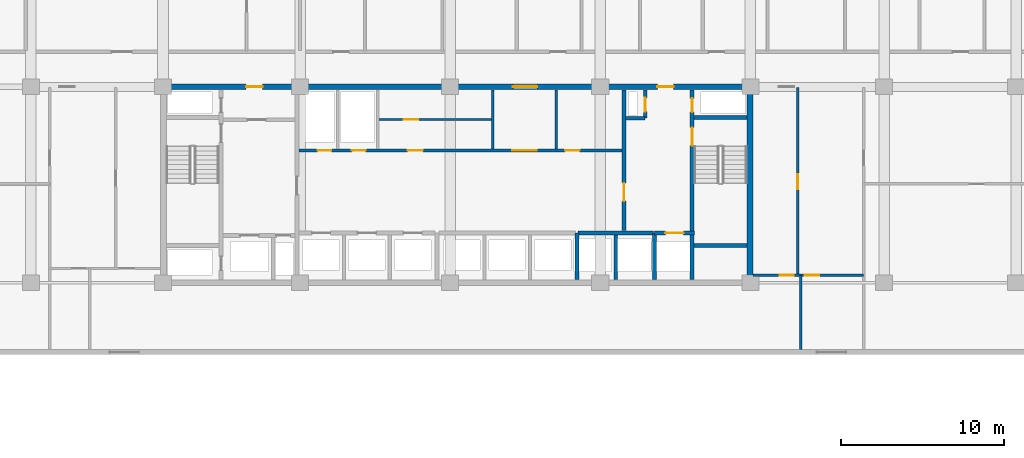
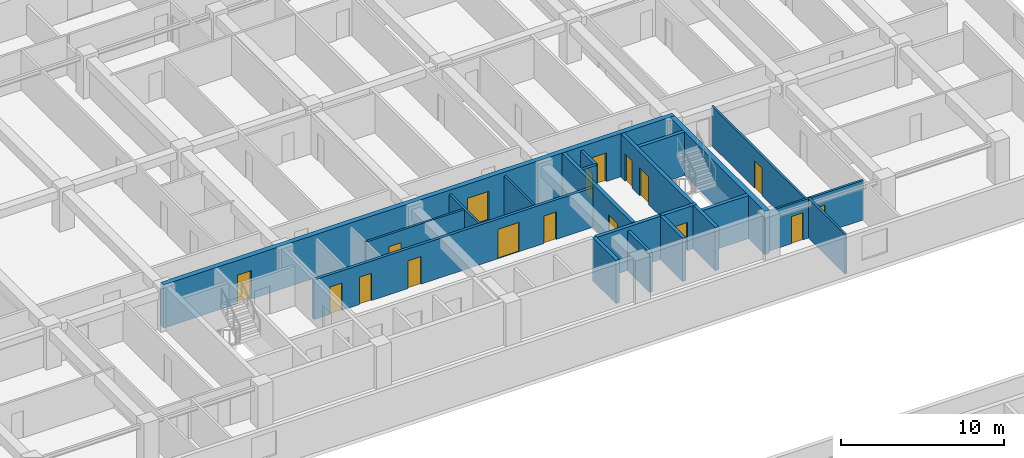
# One storey, part 12 of 23: 20 walls, 17 doors, 17 openings.
"""IFC4 building model written with IfcOpenShell, lengths in metres."""

import ifcopenshell
import ifcopenshell.guid

model = None  # the IFC model being written
_history = None  # IfcOwnerHistory: only IFC2X3 demands one
_inside = {}  # id of a spatial element -> (the spatial element, [elements in it])
_under = {}  # id of a project, library or spatial element -> (it, [spatial elements below it])
_declared = {}  # id of a project -> (the project, [libraries it declares])
_typed = {}  # id of a type object -> (the type object, [elements of that type])
_made_of = {}  # id of a material, layer set ... -> (it, [elements and type objects made of it])


def new_model(schema):
    """Start an empty IFC model of exactly this schema.

    Asked for "IFC4X3", IfcOpenShell would pick the latest addendum, in which some entities
    have other attributes; the version numbers below select the first issue.
    IFC2X3 requires an IfcOwnerHistory on every rooted entity: one is made here for all.
    """
    global model, _history
    if schema == "IFC4X3":
        model = ifcopenshell.file(schema_version=(4, 3, 0, 0))
    else:
        model = ifcopenshell.file(schema=schema)
    _inside.clear()
    _under.clear()
    _declared.clear()
    _typed.clear()
    _made_of.clear()
    _history = None
    if model.schema == "IFC2X3":
        org = make("IfcOrganization", Name="unknown")
        user = make(
            "IfcPersonAndOrganization",
            ThePerson=make("IfcPerson", FamilyName="unknown"),
            TheOrganization=org,
        )
        app = make(
            "IfcApplication",
            ApplicationDeveloper=org,
            Version="unknown",
            ApplicationFullName="unknown",
            ApplicationIdentifier="unknown",
        )
        _history = make(
            "IfcOwnerHistory",
            OwningUser=user,
            OwningApplication=app,
            ChangeAction="ADDED",
            CreationDate=0,
        )
    return model


def make(cls, **values):
    """One entity of the class cls with the attributes given. An attribute that is None is left unset."""
    return model.create_entity(
        cls, **{name: value for name, value in values.items() if value is not None}
    )


def rooted(cls, **values):
    """An entity with a GlobalId (a new one), such as an element, a storey or a relation."""
    return make(cls, GlobalId=ifcopenshell.guid.new(), OwnerHistory=_history, **values)


def si_unit(unit_type, name, prefix=None):
    """IfcSIUnit, for example si_unit("LENGTHUNIT", "METRE", prefix="MILLI")."""
    return make("IfcSIUnit", UnitType=unit_type, Prefix=prefix, Name=name)


def assignment(units):
    """IfcUnitAssignment: the units of a project."""
    return None if units is None else make("IfcUnitAssignment", Units=units)


def point(xyz):
    """IfcCartesianPoint."""
    return None if xyz is None else make("IfcCartesianPoint", Coordinates=xyz)


def direction(xyz):
    """IfcDirection."""
    return None if xyz is None else make("IfcDirection", DirectionRatios=xyz)


def frame(location, z_axis=None, x_axis=None):
    """IfcAxis2Placement3D, a coordinate frame: its origin and axes. An axis left out is left unset."""
    return make(
        "IfcAxis2Placement3D",
        Location=point(location),
        Axis=direction(z_axis),
        RefDirection=direction(x_axis),
    )


def frame_2d(location, x_axis=None):
    """IfcAxis2Placement2D, a coordinate frame in the plane: its origin and x axis."""
    return make(
        "IfcAxis2Placement2D", Location=point(location), RefDirection=direction(x_axis)
    )


def origin():
    """The frame at (0, 0, 0) with its axes left unset."""
    return frame((0.0, 0.0, 0.0))


def place(relative_to, where):
    """IfcLocalPlacement: puts the frame where relative to a parent placement (None: the world)."""
    return make(
        "IfcLocalPlacement", PlacementRelTo=relative_to, RelativePlacement=where
    )


def context(
    kind, dimensions, precision=None, world=None, true_north=None, identifier=None
):
    """IfcGeometricRepresentationContext, for example the 3D "Model" context."""
    return make(
        "IfcGeometricRepresentationContext",
        ContextIdentifier=identifier,
        ContextType=kind,
        CoordinateSpaceDimension=dimensions,
        Precision=precision,
        WorldCoordinateSystem=world,
        TrueNorth=true_north,
    )


def subcontext(parent, identifier, kind, view, scale=None):
    """IfcGeometricRepresentationSubContext, for example "Body" below "Model"."""
    return make(
        "IfcGeometricRepresentationSubContext",
        ContextIdentifier=identifier,
        ContextType=kind,
        ParentContext=parent,
        TargetScale=scale,
        TargetView=view,
    )


def project(units=None, contexts=None):
    """IfcProject with its units and contexts."""
    return rooted(
        "IfcProject",
        Name="project",
        RepresentationContexts=contexts,
        UnitsInContext=assignment(units),
    )


def spatial(cls, under=None, at=None, **own):
    """A site, building, storey or space (cls), placed at a placement, below another one or the project."""
    s = rooted(cls, ObjectPlacement=at, **own)
    if under is not None:
        _under.setdefault(under.id(), (under, []))[1].append(s)
    return s


def profile(cls, at=None, kind="AREA", **sizes):
    """A parametric profile (cls). Its sizes go by their IFC names, for example OverallWidth=200.0."""
    return make(cls, ProfileType=kind, Position=at, **sizes)


def rectangle(**sizes):
    """IfcRectangleProfileDef."""
    return profile("IfcRectangleProfileDef", **sizes)


def extrude(swept, where, along, depth):
    """IfcExtrudedAreaSolid: the profile swept, set in the frame where, extruded along a direction by depth."""
    return make(
        "IfcExtrudedAreaSolid",
        SweptArea=swept,
        Position=where,
        ExtrudedDirection=direction(along),
        Depth=depth,
    )


def shape(context_of_items, identifier, shape_type, items):
    """IfcShapeRepresentation: the items that make up one representation, for example the "Body"."""
    return make(
        "IfcShapeRepresentation",
        ContextOfItems=context_of_items,
        RepresentationIdentifier=identifier,
        RepresentationType=shape_type,
        Items=items,
    )


def material(Name=None, Category=None):
    """IfcMaterial."""
    return make("IfcMaterial", Name=Name, Category=Category)


def layer(
    of_material, thickness, ventilated=None, Name=None, Category=None, Priority=None
):
    """IfcMaterialLayer: one layer of a wall or slab, of a material (None: an air gap)."""
    return make(
        "IfcMaterialLayer",
        Material=of_material,
        LayerThickness=thickness,
        IsVentilated=ventilated,
        Name=Name,
        Category=Category,
        Priority=Priority,
    )


def layer_set(layers, Name=None):
    """IfcMaterialLayerSet."""
    return make("IfcMaterialLayerSet", MaterialLayers=layers, LayerSetName=Name)


def made_of(thing, what):
    """Note that an element or type object is made of a material, layer set ...; save() writes the relation."""
    if what is not None:
        _made_of.setdefault(what.id(), (what, []))[1].append(thing)
    return thing


def type_object(cls, material=None, **own):
    """A type object (cls), such as IfcWallType, which elements share."""
    return made_of(rooted(cls, **own), material)


def element(
    cls,
    number,
    at=None,
    inside=None,
    cuts=None,
    type_object=None,
    material=None,
    context=None,
    identifier="Body",
    shape_type=None,
    held_by="IfcProductDefinitionShape",
    body=None,
    shapes=None,
    **own,
):
    """One element of the class cls, such as IfcWall. Its Tag is "e" and its number.

    at: its placement. inside: the storey or other place that contains it. cuts: it is an
    opening in that element (IfcRelVoidsElement). A single representation is given by context,
    identifier, shape_type and body (its items); several are given by shapes. held_by: the class
    of the entity that holds the representations. save() writes the other relations.
    """
    e = rooted(cls, Tag="e%d" % number, ObjectPlacement=at, **own)
    if body is not None:
        shapes = [shape(context, identifier, shape_type, body)]
    if shapes is not None:
        e.Representation = make(held_by, Representations=shapes)
    if inside is not None:
        _inside.setdefault(inside.id(), (inside, []))[1].append(e)
    if cuts is not None:
        rooted(
            "IfcRelVoidsElement", RelatingBuildingElement=cuts, RelatedOpeningElement=e
        )
    if type_object is not None:
        _typed.setdefault(type_object.id(), (type_object, []))[1].append(e)
    return made_of(e, material)


def fill(opening, filler):
    """IfcRelFillsElement: the door or window that sits in an opening."""
    return rooted(
        "IfcRelFillsElement",
        RelatingOpeningElement=opening,
        RelatedBuildingElement=filler,
    )


def aggregate(whole, parts):
    """IfcRelAggregates: a whole, such as a stair, and the parts it consists of."""
    return rooted("IfcRelAggregates", RelatingObject=whole, RelatedObjects=parts)


def save(model, path):
    """Write the relations noted so far, then the file.

    IfcRelAggregates (storeys below a building ...), IfcRelContainedInSpatialStructure (elements
    in a storey), IfcRelDefinesByType, IfcRelAssociatesMaterial and IfcRelDeclares: one each for
    every whole, place, type object, material and project.
    """
    for whole, parts in _under.values():
        aggregate(whole, parts)
    for where, things in _inside.values():
        rooted(
            "IfcRelContainedInSpatialStructure",
            RelatedElements=things,
            RelatingStructure=where,
        )
    for kind, things in _typed.values():
        rooted("IfcRelDefinesByType", RelatedObjects=things, RelatingType=kind)
    for what, things in _made_of.values():
        rooted("IfcRelAssociatesMaterial", RelatedObjects=things, RelatingMaterial=what)
    for by, libraries in _declared.values():
        rooted("IfcRelDeclares", RelatingContext=by, RelatedDefinitions=libraries)
    model.write(path)


model = new_model("IFC4")

# Units and contexts
model_context = context("Model", 3, precision=1e-05, world=origin(), true_north=direction((0.0, 1.0)))
body_context = subcontext(model_context, "Body", "Model", "MODEL_VIEW")
ifc_project = project(units=[si_unit("LENGTHUNIT", "METRE"), si_unit("AREAUNIT", "SQUARE_METRE"), si_unit("VOLUMEUNIT", "CUBIC_METRE"), si_unit("PLANEANGLEUNIT", "RADIAN"), si_unit("MASSUNIT", "GRAM", prefix="KILO")], contexts=[model_context])

# Site, building, storey
site_placement = place(None, origin())
site = spatial("IfcSite", under=ifc_project, at=site_placement, CompositionType="ELEMENT")
building_placement = place(site_placement, origin())
building = spatial("IfcBuilding", under=site, at=building_placement, Name="Korimba Cascade Residences", CompositionType="ELEMENT")
storey_placement = place(building_placement, frame((0.0, 0.0, 33.75)))
storey = spatial("IfcBuildingStorey", under=building, at=storey_placement, Name="L08", CompositionType="ELEMENT", Elevation=33.75)

# Wall
ifc_material_1 = material(Name="Concrete C65/80", Category="concrete")
ifc_layer_1 = layer(ifc_material_1, 0.35009765625)
ifc_layer_set_1 = layer_set([ifc_layer_1], Name="Concrete C65/80")
wall_type_1 = type_object("IfcWallType", Name="WAL-CORE-350", PredefinedType="SHEAR", material=ifc_layer_set_1)
wall_1_placement = place(storey_placement, frame((112.074951171875, 55.375, 0.0), z_axis=(0.0, 0.0, 1.0), x_axis=(0.0, 1.0, 0.0)))
element("IfcWall", 1, at=wall_1_placement, inside=storey, type_object=wall_type_1, Name="L08 Core Shear Wall CW-L08-T1-E", PredefinedType="SHEAR", context=body_context, shape_type="SweptSolid", body=[
    extrude(rectangle(XDim=11.64990234375, YDim=0.35009765625, at=frame_2d((5.824951171875, 0.0))), origin(), (0.0, 0.0, 1.0), 3.25),
])

# Wall, openings, doors
wall_2_placement = place(storey_placement, frame((75.949951171875, 67.199951171875, 0.0), z_axis=(0.0, 0.0, 1.0), x_axis=(1.0, 0.0, 0.0)))
wall_2 = element("IfcWall", 2, at=wall_2_placement, inside=storey, type_object=wall_type_1, Name="L08 Core Shear Wall CW-L08-T1-N", PredefinedType="SHEAR", context=body_context, shape_type="SweptSolid", body=[
    extrude(rectangle(XDim=36.300048828125, YDim=0.35009765625, at=frame_2d((18.14990234375, 0.0))), origin(), (0.0, 0.0, 1.0), 3.25),
])
opening_1_placement = place(wall_2_placement, frame((5.25, 0.0, 0.0)))
opening_1 = element("IfcOpeningElement", 3, at=opening_1_placement, cuts=wall_2, Name="Opening D-FD5", PredefinedType="OPENING", context=body_context, shape_type="SweptSolid", body=[
    extrude(rectangle(XDim=1.0, YDim=2.14990234375, at=frame_2d((0.5, 1.074951171875))), frame((0.0, 0.18505859375, 0.0), z_axis=(0.0, -1.0, 0.0), x_axis=(1.0, 0.0, 0.0)), (0.0, 0.0, 1.0), 0.3701171875),
])
opening_2_placement = place(wall_2_placement, frame((21.60009765625, 0.0, 0.0)))
opening_2 = element("IfcOpeningElement", 4, at=opening_2_placement, cuts=wall_2, Name="Opening D-FD8", PredefinedType="OPENING", context=body_context, shape_type="SweptSolid", body=[
    extrude(rectangle(XDim=1.5, YDim=2.199951171875, at=frame_2d((0.75, 1.10009765625))), frame((0.0, 0.18505859375, 0.0), z_axis=(0.0, -1.0, 0.0), x_axis=(1.0, 0.0, 0.0)), (0.0, 0.0, 1.0), 0.3701171875),
])
opening_3_placement = place(wall_2_placement, frame((30.449951171875, 0.0, 0.0)))
opening_3 = element("IfcOpeningElement", 5, at=opening_3_placement, cuts=wall_2, Name="Opening D-FD5", PredefinedType="OPENING", context=body_context, shape_type="SweptSolid", body=[
    extrude(rectangle(XDim=1.0, YDim=2.14990234375, at=frame_2d((0.5, 1.074951171875))), frame((0.0, 0.18505859375, 0.0), z_axis=(0.0, -1.0, 0.0), x_axis=(1.0, 0.0, 0.0)), (0.0, 0.0, 1.0), 0.3701171875),
])
ifc_material_2 = material(Name="Fire-Rated Acoustic Timber Vestibule Door", Category="wood")
door_type_1 = type_object("IfcDoorType", Name="DR-FD90-1000", OperationType="NOTDEFINED", PredefinedType="DOOR", material=ifc_material_2)
door_1_placement = place(opening_1_placement, origin())
door_1 = element("IfcDoor", 6, at=door_1_placement, inside=storey, type_object=door_type_1, Name="L08 T1 West Core Vestibule Fire Door", OperationType="SINGLE_SWING_RIGHT", OverallHeight=2.14990234375, OverallWidth=1.0, PredefinedType="DOOR", context=body_context, shape_type="SweptSolid", body=[
    extrude(rectangle(XDim=1.0, YDim=2.14990234375, at=frame_2d((0.5, 1.074951171875))), frame((0.0, 0.02490234375, 0.0), z_axis=(0.0, -1.0, 0.0), x_axis=(1.0, 0.0, 0.0)), (0.0, 0.0, 1.0), 0.050048828125),
])
fill(opening_1, door_1)
door_2_placement = place(opening_3_placement, origin())
door_2 = element("IfcDoor", 7, at=door_2_placement, inside=storey, type_object=door_type_1, Name="L08 T1 East Firefighting Vestibule Fire Door", OperationType="SINGLE_SWING_LEFT", OverallHeight=2.14990234375, OverallWidth=1.0, PredefinedType="DOOR", context=body_context, shape_type="SweptSolid", body=[
    extrude(rectangle(XDim=1.0, YDim=2.14990234375, at=frame_2d((0.5, 1.074951171875))), frame((0.0, 0.02490234375, 0.0), z_axis=(0.0, -1.0, 0.0), x_axis=(1.0, 0.0, 0.0)), (0.0, 0.0, 1.0), 0.050048828125),
])
fill(opening_3, door_2)
ifc_material_3 = material(Name="Fire-Rated Glazed Lift Lobby Double Door", Category="glass")
door_type_2 = type_object("IfcDoorType", Name="DR-FD90-1500", OperationType="NOTDEFINED", PredefinedType="DOOR", material=ifc_material_3)
door_3_placement = place(opening_2_placement, origin())
door_3 = element("IfcDoor", 8, at=door_3_placement, inside=storey, type_object=door_type_2, Name="L08 T1 Lift Lobby Fire Door", OperationType="DOUBLE_DOOR_SINGLE_SWING", OverallHeight=2.199951171875, OverallWidth=1.5, PredefinedType="DOOR", context=body_context, shape_type="SweptSolid", body=[
    extrude(rectangle(XDim=1.5, YDim=2.199951171875, at=frame_2d((0.75, 1.10009765625))), frame((0.0, 0.02490234375, 0.0), z_axis=(0.0, -1.0, 0.0), x_axis=(1.0, 0.0, 0.0)), (0.0, 0.0, 1.0), 0.050048828125),
])
fill(opening_2, door_3)

# Wall, opening, door
ifc_material_4 = material(Name="Insulated Acoustic Stud Partition", Category="gypsum")
ifc_layer_2 = layer(ifc_material_4, 0.14990234375)
ifc_layer_set_2 = layer_set([ifc_layer_2], Name="Insulated Acoustic Stud Partition")
wall_type_2 = type_object("IfcWallType", Name="WAL-PART-150", PredefinedType="PARTITIONING", material=ifc_layer_set_2)
wall_3_placement = place(storey_placement, frame((89.25, 65.199951171875, 0.0), z_axis=(0.0, 0.0, 1.0), x_axis=(1.0, 0.0, 0.0)))
wall_3 = element("IfcWall", 9, at=wall_3_placement, inside=storey, type_object=wall_type_2, Name="L08 Partition Wall CW-L08-T1-CA2HZ", PredefinedType="PARTITIONING", context=body_context, shape_type="SweptSolid", body=[
    extrude(rectangle(XDim=7.050048828125, YDim=0.14990234375, at=frame_2d((3.52490234375, 0.0))), origin(), (0.0, 0.0, 1.0), 2.969970703125),
])
opening_4_placement = place(wall_3_placement, frame((1.60009765625, 0.0, 0.0)))
opening_4 = element("IfcOpeningElement", 10, at=opening_4_placement, cuts=wall_3, Name="Opening D-IN2", PredefinedType="OPENING", context=body_context, shape_type="SweptSolid", body=[
    extrude(rectangle(XDim=0.8798828125, YDim=2.06005859375, at=frame_2d((0.43994140625, 1.030029296875))), frame((0.0, 0.0849609375, 0.0), z_axis=(0.0, -1.0, 0.0), x_axis=(1.0, 0.0, 0.0)), (0.0, 0.0, 1.0), 0.169921875),
])
ifc_material_5 = material(Name="Acoustic Timber Bedroom Door", Category="wood")
door_type_3 = type_object("IfcDoorType", Name="DR-INT-880", OperationType="NOTDEFINED", PredefinedType="DOOR", material=ifc_material_5)
door_4_placement = place(opening_4_placement, origin())
door_4 = element("IfcDoor", 11, at=door_4_placement, inside=storey, type_object=door_type_3, Name="L08 Pram Store Door", OperationType="SINGLE_SWING_RIGHT", OverallHeight=2.06005859375, OverallWidth=0.8798828125, PredefinedType="DOOR", context=body_context, shape_type="SweptSolid", body=[
    extrude(rectangle(XDim=0.8798828125, YDim=2.06005859375, at=frame_2d((0.43994140625, 1.030029296875))), frame((0.0, 0.02490234375, 0.0), z_axis=(0.0, -1.0, 0.0), x_axis=(1.0, 0.0, 0.0)), (0.0, 0.0, 1.0), 0.050048828125),
])
fill(opening_4, door_4)

# Walls
for number, where, z_axis, x_axis, name in (
    (12, (96.300048828125, 63.39990234375, 0.0), (0.0, 0.0, 1.0), (0.0, 1.0, 0.0), "L08 Partition Wall CW-L08-T1-THW"),
    (13, (100.199951171875, 63.39990234375, 0.0), (0.0, 0.0, 1.0), (0.0, 1.0, 0.0), "L08 Partition Wall CW-L08-T1-THE"),
):
    element("IfcWall", number, at=place(storey_placement, frame(where, z_axis=z_axis, x_axis=x_axis)), inside=storey, type_object=wall_type_2, Name=name, PredefinedType="PARTITIONING", context=body_context, shape_type="SweptSolid", body=[
        extrude(rectangle(XDim=3.60009765625, YDim=0.14990234375, at=frame_2d((1.800048828125, 0.0))), origin(), (0.0, 0.0, 1.0), 2.969970703125),
    ])

# Wall, opening, door
wall_4_placement = place(storey_placement, frame((115.0, 55.64990234375, 0.0), z_axis=(0.0, 0.0, 1.0), x_axis=(0.0, 1.0, 0.0)))
wall_4 = element("IfcWall", 14, at=wall_4_placement, inside=storey, type_object=wall_type_2, Name="L08 Partition Wall WAL-L08-T1-FE-VN", PredefinedType="PARTITIONING", context=body_context, shape_type="SweptSolid", body=[
    extrude(rectangle(XDim=11.5, YDim=0.14990234375, at=frame_2d((5.75, 0.0))), origin(), (0.0, 0.0, 1.0), 2.969970703125),
])
opening_5_placement = place(wall_4_placement, frame((5.2900390625, 0.0, 0.0)))
opening_5 = element("IfcOpeningElement", 15, at=opening_5_placement, cuts=wall_4, Name="Opening D-IN1", PredefinedType="OPENING", context=body_context, shape_type="SweptSolid", body=[
    extrude(rectangle(XDim=0.919921875, YDim=2.080078125, at=frame_2d((0.4599609375, 1.0400390625))), frame((0.0, 0.0849609375, 0.0), z_axis=(0.0, -1.0, 0.0), x_axis=(1.0, 0.0, 0.0)), (0.0, 0.0, 1.0), 0.169921875),
])
ifc_material_6 = material(Name="Acoustic Timber Living Door", Category="wood")
door_type_4 = type_object("IfcDoorType", Name="DR-INT-920", OperationType="NOTDEFINED", PredefinedType="DOOR", material=ifc_material_6)
door_5_placement = place(opening_5_placement, origin())
door_5 = element("IfcDoor", 16, at=door_5_placement, inside=storey, type_object=door_type_4, Name="L08-T1-FE Living Door", OperationType="SINGLE_SWING_LEFT", OverallHeight=2.080078125, OverallWidth=0.919921875, PredefinedType="DOOR", context=body_context, shape_type="SweptSolid", body=[
    extrude(rectangle(XDim=0.919921875, YDim=2.080078125, at=frame_2d((0.4599609375, 1.0400390625))), frame((0.0, 0.02490234375, 0.0), z_axis=(0.0, -1.0, 0.0), x_axis=(1.0, 0.0, 0.0)), (0.0, 0.0, 1.0), 0.050048828125),
])
fill(opening_5, door_5)

# Wall
wall_5_placement = place(storey_placement, frame((115.199951171875, 51.10009765625, 0.0), z_axis=(0.0, 0.0, 1.0), x_axis=(0.0, 1.0, 0.0)))
element("IfcWall", 17, at=wall_5_placement, inside=storey, type_object=wall_type_2, Name="L08 Partition Wall WAL-L08-T1-FE-VS", PredefinedType="PARTITIONING", context=body_context, shape_type="SweptSolid", body=[
    extrude(rectangle(XDim=4.5498046875, YDim=0.14990234375, at=frame_2d((2.27490234375, 0.0))), origin(), (0.0, 0.0, 1.0), 2.969970703125),
])

# Wall, openings, doors
wall_6_placement = place(storey_placement, frame((112.27001953125, 55.64990234375, 0.0), z_axis=(0.0, 0.0, 1.0), x_axis=(1.0, 0.0, 0.0)))
wall_6 = element("IfcWall", 18, at=wall_6_placement, inside=storey, type_object=wall_type_2, Name="L08 Partition Wall WAL-L08-T1-FE-H", PredefinedType="PARTITIONING", context=body_context, shape_type="SweptSolid", body=[
    extrude(rectangle(XDim=6.760009765625, YDim=0.14990234375, at=frame_2d((3.3798828125, 0.0))), origin(), (0.0, 0.0, 1.0), 2.969970703125),
])
opening_6_placement = place(wall_6_placement, frame((1.6396484375, 0.0, 0.0)))
opening_6 = element("IfcOpeningElement", 19, at=opening_6_placement, cuts=wall_6, Name="Opening D-BT1", PredefinedType="OPENING", context=body_context, shape_type="SweptSolid", body=[
    extrude(rectangle(XDim=0.840087890625, YDim=2.0400390625, at=frame_2d((0.419921875, 1.02001953125))), frame((0.0, 0.0849609375, 0.0), z_axis=(0.0, -1.0, 0.0), x_axis=(1.0, 0.0, 0.0)), (0.0, 0.0, 1.0), 0.169921875),
])
opening_7_placement = place(wall_6_placement, frame((3.160400390625, 0.0, 0.0)))
opening_7 = element("IfcOpeningElement", 20, at=opening_7_placement, cuts=wall_6, Name="Opening D-IN2", PredefinedType="OPENING", context=body_context, shape_type="SweptSolid", body=[
    extrude(rectangle(XDim=0.8798828125, YDim=2.06005859375, at=frame_2d((0.43994140625, 1.030029296875))), frame((0.0, 0.0849609375, 0.0), z_axis=(0.0, -1.0, 0.0), x_axis=(1.0, 0.0, 0.0)), (0.0, 0.0, 1.0), 0.169921875),
])
ifc_material_7 = material(Name="Moisture-Resistant Bathroom Timber Door", Category="wood")
door_type_5 = type_object("IfcDoorType", Name="DR-INT-850", OperationType="NOTDEFINED", PredefinedType="DOOR", material=ifc_material_7)
door_6_placement = place(opening_6_placement, origin())
door_6 = element("IfcDoor", 21, at=door_6_placement, inside=storey, type_object=door_type_5, Name="L08-T1-FE Bathroom Door", OperationType="SINGLE_SWING_RIGHT", OverallHeight=2.0400390625, OverallWidth=0.840087890625, PredefinedType="DOOR", context=body_context, shape_type="SweptSolid", body=[
    extrude(rectangle(XDim=0.840087890625, YDim=2.0400390625, at=frame_2d((0.419921875, 1.02001953125))), frame((0.0, 0.02490234375, 0.0), z_axis=(0.0, -1.0, 0.0), x_axis=(1.0, 0.0, 0.0)), (0.0, 0.0, 1.0), 0.050048828125),
])
fill(opening_6, door_6)
door_7_placement = place(opening_7_placement, origin())
door_7 = element("IfcDoor", 22, at=door_7_placement, inside=storey, type_object=door_type_3, Name="L08-T1-FE Bedroom Door", OperationType="SINGLE_SWING_LEFT", OverallHeight=2.06005859375, OverallWidth=0.8798828125, PredefinedType="DOOR", context=body_context, shape_type="SweptSolid", body=[
    extrude(rectangle(XDim=0.8798828125, YDim=2.06005859375, at=frame_2d((0.43994140625, 1.030029296875))), frame((0.0, 0.02490234375, 0.0), z_axis=(0.0, -1.0, 0.0), x_axis=(1.0, 0.0, 0.0)), (0.0, 0.0, 1.0), 0.050048828125),
])
fill(opening_7, door_7)

# Wall
ifc_material_8 = material(Name="Concrete C40/50", Category="concrete")
ifc_layer_3 = layer(ifc_material_8, 0.199951171875)
ifc_layer_set_3 = layer_set([ifc_layer_3], Name="Concrete C40/50")
wall_type_3 = type_object("IfcWallType", Name="WAL-PART-200", PredefinedType="PARTITIONING", material=ifc_layer_set_3)
wall_7_placement = place(storey_placement, frame((103.85009765625, 55.39990234375, 0.0), z_axis=(0.0, 0.0, 1.0), x_axis=(0.0, 1.0, 0.0)))
element("IfcWall", 23, at=wall_7_placement, inside=storey, type_object=wall_type_3, Name="L08 Partition Wall CW-L08-T1-B3D1", PredefinedType="PARTITIONING", context=body_context, shape_type="SweptSolid", body=[
    extrude(rectangle(XDim=2.72021484375, YDim=0.199951171875, at=frame_2d((1.360107421875, 0.0))), origin(), (0.0, 0.0, 1.0), 2.969970703125),
])

# Wall, openings, doors
wall_8_placement = place(storey_placement, frame((84.419921875, 63.300048828125, 0.0), z_axis=(0.0, 0.0, 1.0), x_axis=(1.0, 0.0, 0.0)))
wall_8 = element("IfcWall", 24, at=wall_8_placement, inside=storey, type_object=wall_type_3, Name="L08 Partition Wall CW-L08-T1-SRVROW", PredefinedType="PARTITIONING", context=body_context, shape_type="SweptSolid", body=[
    extrude(rectangle(XDim=19.830078125, YDim=0.199951171875, at=frame_2d((9.9150390625, 0.0))), origin(), (0.0, 0.0, 1.0), 2.969970703125),
])
opening_8_placement = place(wall_8_placement, frame((1.14990234375, 0.0, 0.0)))
opening_8 = element("IfcOpeningElement", 25, at=opening_8_placement, cuts=wall_8, Name="Opening D-RS1", PredefinedType="OPENING", context=body_context, shape_type="SweptSolid", body=[
    extrude(rectangle(XDim=0.85009765625, YDim=2.050048828125, at=frame_2d((0.425048828125, 1.02490234375))), frame((0.0, 0.10986328125, 0.0), z_axis=(0.0, -1.0, 0.0), x_axis=(1.0, 0.0, 0.0)), (0.0, 0.0, 1.0), 0.219970703125),
])
opening_9_placement = place(wall_8_placement, frame((3.25, 0.0, 0.0)))
opening_9 = element("IfcOpeningElement", 26, at=opening_9_placement, cuts=wall_8, Name="Opening D-RS1", PredefinedType="OPENING", context=body_context, shape_type="SweptSolid", body=[
    extrude(rectangle(XDim=0.85009765625, YDim=2.050048828125, at=frame_2d((0.425048828125, 1.02490234375))), frame((0.0, 0.10986328125, 0.0), z_axis=(0.0, -1.0, 0.0), x_axis=(1.0, 0.0, 0.0)), (0.0, 0.0, 1.0), 0.219970703125),
])
opening_10_placement = place(wall_8_placement, frame((13.080078125, 0.0, 0.0)))
opening_10 = element("IfcOpeningElement", 27, at=opening_10_placement, cuts=wall_8, Name="Opening D-FD8", PredefinedType="OPENING", context=body_context, shape_type="SweptSolid", body=[
    extrude(rectangle(XDim=1.5, YDim=2.199951171875, at=frame_2d((0.75, 1.10009765625))), frame((0.0, 0.10986328125, 0.0), z_axis=(0.0, -1.0, 0.0), x_axis=(1.0, 0.0, 0.0)), (0.0, 0.0, 1.0), 0.219970703125),
])
opening_11_placement = place(wall_8_placement, frame((6.679931640625, 0.0, 0.0)))
opening_11 = element("IfcOpeningElement", 28, at=opening_11_placement, cuts=wall_8, Name="Opening D-IN1", PredefinedType="OPENING", context=body_context, shape_type="SweptSolid", body=[
    extrude(rectangle(XDim=0.919921875, YDim=2.080078125, at=frame_2d((0.4599609375, 1.0400390625))), frame((0.0, 0.10986328125, 0.0), z_axis=(0.0, -1.0, 0.0), x_axis=(1.0, 0.0, 0.0)), (0.0, 0.0, 1.0), 0.219970703125),
])
opening_12_placement = place(wall_8_placement, frame((16.330078125, 0.0, 0.0)))
opening_12 = element("IfcOpeningElement", 29, at=opening_12_placement, cuts=wall_8, Name="Opening D-IN2", PredefinedType="OPENING", context=body_context, shape_type="SweptSolid", body=[
    extrude(rectangle(XDim=0.8798828125, YDim=2.06005859375, at=frame_2d((0.43994140625, 1.030029296875))), frame((0.0, 0.10986328125, 0.0), z_axis=(0.0, -1.0, 0.0), x_axis=(1.0, 0.0, 0.0)), (0.0, 0.0, 1.0), 0.219970703125),
])
ifc_material_9 = material(Name="Fire-Rated Steel Riser Access Door", Category="steel")
door_type_6 = type_object("IfcDoorType", Name="DR-FD60-850", OperationType="NOTDEFINED", PredefinedType="DOOR", material=ifc_material_9)
door_8_placement = place(opening_8_placement, origin())
door_8 = element("IfcDoor", 30, at=door_8_placement, inside=storey, type_object=door_type_6, Name="L08 Electrical Riser Door", OperationType="SINGLE_SWING_LEFT", OverallHeight=2.050048828125, OverallWidth=0.85009765625, PredefinedType="DOOR", context=body_context, shape_type="SweptSolid", body=[
    extrude(rectangle(XDim=0.85009765625, YDim=2.050048828125, at=frame_2d((0.425048828125, 1.02490234375))), frame((0.0, 0.02490234375, 0.0), z_axis=(0.0, -1.0, 0.0), x_axis=(1.0, 0.0, 0.0)), (0.0, 0.0, 1.0), 0.050048828125),
])
fill(opening_8, door_8)
door_9_placement = place(opening_9_placement, origin())
door_9 = element("IfcDoor", 31, at=door_9_placement, inside=storey, type_object=door_type_6, Name="L08 Plumbing Riser Door", OperationType="SINGLE_SWING_RIGHT", OverallHeight=2.050048828125, OverallWidth=0.85009765625, PredefinedType="DOOR", context=body_context, shape_type="SweptSolid", body=[
    extrude(rectangle(XDim=0.85009765625, YDim=2.050048828125, at=frame_2d((0.425048828125, 1.02490234375))), frame((0.0, 0.02490234375, 0.0), z_axis=(0.0, -1.0, 0.0), x_axis=(1.0, 0.0, 0.0)), (0.0, 0.0, 1.0), 0.050048828125),
])
fill(opening_9, door_9)
door_10_placement = place(opening_10_placement, origin())
door_10 = element("IfcDoor", 32, at=door_10_placement, inside=storey, type_object=door_type_2, Name="L08 Lift Lobby Foyer Archway Door", OperationType="DOUBLE_DOOR_SINGLE_SWING", OverallHeight=2.199951171875, OverallWidth=1.5, PredefinedType="DOOR", context=body_context, shape_type="SweptSolid", body=[
    extrude(rectangle(XDim=1.5, YDim=2.199951171875, at=frame_2d((0.75, 1.10009765625))), frame((0.0, 0.02490234375, 0.0), z_axis=(0.0, -1.0, 0.0), x_axis=(1.0, 0.0, 0.0)), (0.0, 0.0, 1.0), 0.050048828125),
])
fill(opening_10, door_10)
door_11_placement = place(opening_12_placement, origin())
door_11 = element("IfcDoor", 33, at=door_11_placement, inside=storey, type_object=door_type_3, Name="L08 Staff WC Door", OperationType="SINGLE_SWING_RIGHT", OverallHeight=2.06005859375, OverallWidth=0.8798828125, PredefinedType="DOOR", context=body_context, shape_type="SweptSolid", body=[
    extrude(rectangle(XDim=0.8798828125, YDim=2.06005859375, at=frame_2d((0.43994140625, 1.030029296875))), frame((0.0, 0.02490234375, 0.0), z_axis=(0.0, -1.0, 0.0), x_axis=(1.0, 0.0, 0.0)), (0.0, 0.0, 1.0), 0.050048828125),
])
fill(opening_12, door_11)
door_12_placement = place(opening_11_placement, origin())
door_12 = element("IfcDoor", 34, at=door_12_placement, inside=storey, type_object=door_type_4, Name="L08 Locker Room Door", OperationType="SINGLE_SWING_LEFT", OverallHeight=2.080078125, OverallWidth=0.919921875, PredefinedType="DOOR", context=body_context, shape_type="SweptSolid", body=[
    extrude(rectangle(XDim=0.919921875, YDim=2.080078125, at=frame_2d((0.4599609375, 1.0400390625))), frame((0.0, 0.02490234375, 0.0), z_axis=(0.0, -1.0, 0.0), x_axis=(1.0, 0.0, 0.0)), (0.0, 0.0, 1.0), 0.050048828125),
])
fill(opening_11, door_12)

# Wall
wall_9_placement = place(storey_placement, frame((104.449951171875, 65.280029296875, 0.0), z_axis=(0.0, 0.0, 1.0), x_axis=(1.0, 0.0, 0.0)))
element("IfcWall", 35, at=wall_9_placement, inside=storey, type_object=wall_type_3, Name="L08 Partition Wall CW-L08-T1-HYDW2S", PredefinedType="PARTITIONING", context=body_context, shape_type="SweptSolid", body=[
    extrude(rectangle(XDim=1.199951171875, YDim=0.199951171875, at=frame_2d((0.60009765625, 0.0))), origin(), (0.0, 0.0, 1.0), 2.969970703125),
])

# Wall, opening, door
wall_10_placement = place(storey_placement, frame((105.64990234375, 65.280029296875, 0.0), z_axis=(0.0, 0.0, 1.0), x_axis=(0.0, 1.0, 0.0)))
wall_10 = element("IfcWall", 36, at=wall_10_placement, inside=storey, type_object=wall_type_3, Name="L08 Partition Wall CW-L08-T1-HYDW2E", PredefinedType="PARTITIONING", context=body_context, shape_type="SweptSolid", body=[
    extrude(rectangle(XDim=1.719970703125, YDim=0.199951171875, at=frame_2d((0.85986328125, 0.0))), origin(), (0.0, 0.0, 1.0), 2.969970703125),
])
opening_13_placement = place(wall_10_placement, frame((0.39990234375, 0.0, 0.0)))
opening_13 = element("IfcOpeningElement", 37, at=opening_13_placement, cuts=wall_10, Name="Opening D-RS1", PredefinedType="OPENING", context=body_context, shape_type="SweptSolid", body=[
    extrude(rectangle(XDim=0.85009765625, YDim=2.050048828125, at=frame_2d((0.425048828125, 1.02490234375))), frame((0.0, 0.10986328125, 0.0), z_axis=(0.0, -1.0, 0.0), x_axis=(1.0, 0.0, 0.0)), (0.0, 0.0, 1.0), 0.219970703125),
])
door_13_placement = place(opening_13_placement, origin())
door_13 = element("IfcDoor", 38, at=door_13_placement, inside=storey, type_object=door_type_6, Name="L08 East Hydrant Door", OperationType="SINGLE_SWING_LEFT", OverallHeight=2.050048828125, OverallWidth=0.85009765625, PredefinedType="DOOR", context=body_context, shape_type="SweptSolid", body=[
    extrude(rectangle(XDim=0.85009765625, YDim=2.050048828125, at=frame_2d((0.425048828125, 1.02490234375))), frame((0.0, 0.02490234375, 0.0), z_axis=(0.0, -1.0, 0.0), x_axis=(1.0, 0.0, 0.0)), (0.0, 0.0, 1.0), 0.050048828125),
])
fill(opening_13, door_13)

# Walls
ifc_material_10 = material(Name="Concrete C50/60", Category="concrete")
ifc_layer_4 = layer(ifc_material_10, 0.25)
ifc_layer_set_4 = layer_set([ifc_layer_4], Name="Concrete C50/60")
wall_type_4 = type_object("IfcWallType", Name="WAL-SHAFT-250", PredefinedType="SHEAR", material=ifc_layer_set_4)
wall_11_placement = place(storey_placement, frame((101.47998046875, 55.39990234375, 0.0), z_axis=(0.0, 0.0, 1.0), x_axis=(0.0, 1.0, 0.0)))
element("IfcWall", 39, at=wall_11_placement, inside=storey, type_object=wall_type_4, Name="L08 Core Shear Wall CW-L08-T1-B23DIV", PredefinedType="SHEAR", context=body_context, shape_type="SweptSolid", body=[
    extrude(rectangle(XDim=2.85009765625, YDim=0.25, at=frame_2d((1.425048828125, 0.0))), origin(), (0.0, 0.0, 1.0), 3.25),
])
wall_12_placement = place(storey_placement, frame((101.550048828125, 58.25, 0.0), z_axis=(0.0, 0.0, 1.0), x_axis=(1.0, 0.0, 0.0)))
element("IfcWall", 40, at=wall_12_placement, inside=storey, type_object=wall_type_4, Name="L08 Core Shear Wall CW-L08-T1-B3N", PredefinedType="SHEAR", context=body_context, shape_type="SweptSolid", body=[
    extrude(rectangle(XDim=4.599853515625, YDim=0.25, at=frame_2d((2.2998046875, 0.0))), origin(), (0.0, 0.0, 1.0), 3.25),
])
wall_13_placement = place(storey_placement, frame((106.219970703125, 55.39990234375, 0.0), z_axis=(0.0, 0.0, 1.0), x_axis=(0.0, 1.0, 0.0)))
element("IfcWall", 41, at=wall_13_placement, inside=storey, type_object=wall_type_4, Name="L08 Core Shear Wall CW-L08-T1-FF2W", PredefinedType="SHEAR", context=body_context, shape_type="SweptSolid", body=[
    extrude(rectangle(XDim=2.85009765625, YDim=0.25, at=frame_2d((1.425048828125, 0.0))), origin(), (0.0, 0.0, 1.0), 3.25),
])

# Wall, opening, door
wall_14_placement = place(storey_placement, frame((106.219970703125, 58.25, 0.0), z_axis=(0.0, 0.0, 1.0), x_axis=(1.0, 0.0, 0.0)))
wall_14 = element("IfcWall", 42, at=wall_14_placement, inside=storey, type_object=wall_type_4, Name="L08 Core Shear Wall CW-L08-T1-FF2N", PredefinedType="SHEAR", context=body_context, shape_type="SweptSolid", body=[
    extrude(rectangle(XDim=2.4599609375, YDim=0.25, at=frame_2d((1.22998046875, 0.0))), origin(), (0.0, 0.0, 1.0), 3.25),
])
opening_14_placement = place(wall_14_placement, frame((0.669921875, 0.0, 0.0)))
opening_14 = element("IfcOpeningElement", 43, at=opening_14_placement, cuts=wall_14, Name="Opening LD-01", PredefinedType="OPENING", context=body_context, shape_type="SweptSolid", body=[
    extrude(rectangle(XDim=1.1201171875, YDim=2.1201171875, at=frame_2d((0.56005859375, 1.06005859375))), frame((0.0, 0.135009765625, 0.0), z_axis=(0.0, -1.0, 0.0), x_axis=(1.0, 0.0, 0.0)), (0.0, 0.0, 1.0), 0.27001953125),
])
ifc_material_11 = material(Name="Stainless Steel Lift Landing Sliding Door", Category="steel")
door_type_7 = type_object("IfcDoorType", Name="DR-LIFT-1100", OperationType="NOTDEFINED", PredefinedType="DOOR", material=ifc_material_11)
door_14_placement = place(opening_14_placement, origin())
door_14 = element("IfcDoor", 44, at=door_14_placement, inside=storey, type_object=door_type_7, Name="L08 Firefighting Lift Landing Door FFL-W2", OperationType="SLIDING_TO_RIGHT", OverallHeight=2.1201171875, OverallWidth=1.1201171875, PredefinedType="DOOR", context=body_context, shape_type="SweptSolid", body=[
    extrude(rectangle(XDim=1.1201171875, YDim=2.1201171875, at=frame_2d((0.56005859375, 1.06005859375))), frame((0.0, 0.02490234375, 0.0), z_axis=(0.0, -1.0, 0.0), x_axis=(1.0, 0.0, 0.0)), (0.0, 0.0, 1.0), 0.050048828125),
])
fill(opening_14, door_14)

wall_15_placement = place(storey_placement, frame((104.35009765625, 58.39990234375, 0.0), z_axis=(0.0, 0.0, 1.0), x_axis=(0.0, 1.0, 0.0)))
wall_15 = element("IfcWall", 45, at=wall_15_placement, inside=storey, type_object=wall_type_4, Name="L08 Core Shear Wall CW-L08-T1-LLEV", PredefinedType="SHEAR", context=body_context, shape_type="SweptSolid", body=[
    extrude(rectangle(XDim=8.60009765625, YDim=0.25, at=frame_2d((4.300048828125, 0.0))), origin(), (0.0, 0.0, 1.0), 3.25),
])
opening_15_placement = place(wall_15_placement, frame((1.800048828125, 0.0, 0.0)))
opening_15 = element("IfcOpeningElement", 46, at=opening_15_placement, cuts=wall_15, Name="Opening D-FD1", PredefinedType="OPENING", context=body_context, shape_type="SweptSolid", body=[
    extrude(rectangle(XDim=1.10009765625, YDim=2.10009765625, at=frame_2d((0.550048828125, 1.050048828125))), frame((0.0, 0.135009765625, 0.0), z_axis=(0.0, -1.0, 0.0), x_axis=(1.0, 0.0, 0.0)), (0.0, 0.0, 1.0), 0.27001953125),
])
ifc_material_12 = material(Name="Fire-Rated Steel Core Door", Category="steel")
door_type_8 = type_object("IfcDoorType", Name="DR-FD120-1100", OperationType="NOTDEFINED", PredefinedType="DOOR", material=ifc_material_12)
door_15_placement = place(opening_15_placement, origin())
door_15 = element("IfcDoor", 47, at=door_15_placement, inside=storey, type_object=door_type_8, Name="L08 Lift Lobby to East Firefighting Lobby Door", OperationType="SINGLE_SWING_RIGHT", OverallHeight=2.10009765625, OverallWidth=1.10009765625, PredefinedType="DOOR", context=body_context, shape_type="SweptSolid", body=[
    extrude(rectangle(XDim=1.10009765625, YDim=2.10009765625, at=frame_2d((0.550048828125, 1.050048828125))), frame((0.0, 0.02490234375, 0.0), z_axis=(0.0, -1.0, 0.0), x_axis=(1.0, 0.0, 0.0)), (0.0, 0.0, 1.0), 0.050048828125),
])
fill(opening_15, door_15)

# Wall, openings, doors
wall_16_placement = place(storey_placement, frame((108.534912109375, 55.39990234375, 0.0), z_axis=(0.0, 0.0, 1.0), x_axis=(0.0, 1.0, 0.0)))
wall_16 = element("IfcWall", 48, at=wall_16_placement, inside=storey, type_object=wall_type_4, Name="L08 Core Shear Wall CW-L08-T1-STW2W", PredefinedType="SHEAR", context=body_context, shape_type="SweptSolid", body=[
    extrude(rectangle(XDim=11.60009765625, YDim=0.25, at=frame_2d((5.800048828125, 0.0))), origin(), (0.0, 0.0, 1.0), 3.25),
])
opening_16_placement = place(wall_16_placement, frame((8.199951171875, 0.0, 0.0)))
opening_16 = element("IfcOpeningElement", 49, at=opening_16_placement, cuts=wall_16, Name="Opening D-FD1", PredefinedType="OPENING", context=body_context, shape_type="SweptSolid", body=[
    extrude(rectangle(XDim=1.10009765625, YDim=2.10009765625, at=frame_2d((0.550048828125, 1.050048828125))), frame((0.0, 0.135009765625, 0.0), z_axis=(0.0, -1.0, 0.0), x_axis=(1.0, 0.0, 0.0)), (0.0, 0.0, 1.0), 0.27001953125),
])
opening_17_placement = place(wall_16_placement, frame((10.25, 0.0, 0.0)))
opening_17 = element("IfcOpeningElement", 50, at=opening_17_placement, cuts=wall_16, Name="Opening D-RS1", PredefinedType="OPENING", context=body_context, shape_type="SweptSolid", body=[
    extrude(rectangle(XDim=0.85009765625, YDim=2.050048828125, at=frame_2d((0.425048828125, 1.02490234375))), frame((0.0, 0.135009765625, 0.0), z_axis=(0.0, -1.0, 0.0), x_axis=(1.0, 0.0, 0.0)), (0.0, 0.0, 1.0), 0.27001953125),
])
door_16_placement = place(opening_16_placement, origin())
door_16 = element("IfcDoor", 51, at=door_16_placement, inside=storey, type_object=door_type_8, Name="L08 Fire Stair ST-W2 Door", OperationType="SINGLE_SWING_LEFT", OverallHeight=2.10009765625, OverallWidth=1.10009765625, PredefinedType="DOOR", context=body_context, shape_type="SweptSolid", body=[
    extrude(rectangle(XDim=1.10009765625, YDim=2.10009765625, at=frame_2d((0.550048828125, 1.050048828125))), frame((0.0, 0.02490234375, 0.0), z_axis=(0.0, -1.0, 0.0), x_axis=(1.0, 0.0, 0.0)), (0.0, 0.0, 1.0), 0.050048828125),
])
fill(opening_16, door_16)
door_17_placement = place(opening_17_placement, origin())
door_17 = element("IfcDoor", 52, at=door_17_placement, inside=storey, type_object=door_type_6, Name="L08 East Riser Door", OperationType="SINGLE_SWING_RIGHT", OverallHeight=2.050048828125, OverallWidth=0.85009765625, PredefinedType="DOOR", context=body_context, shape_type="SweptSolid", body=[
    extrude(rectangle(XDim=0.85009765625, YDim=2.050048828125, at=frame_2d((0.425048828125, 1.02490234375))), frame((0.0, 0.02490234375, 0.0), z_axis=(0.0, -1.0, 0.0), x_axis=(1.0, 0.0, 0.0)), (0.0, 0.0, 1.0), 0.050048828125),
])
fill(opening_17, door_17)

# Walls
for number, where, z_axis, x_axis, name in (
    (53, (108.659912109375, 57.47509765625, 0.0), (0.0, 0.0, 1.0), (1.0, 0.0, 0.0), "L08 Core Shear Wall CW-L08-T1-STW2S"),
    (54, (108.659912109375, 65.324951171875, 0.0), (0.0, 0.0, 1.0), (1.0, 0.0, 0.0), "L08 Core Shear Wall CW-L08-T1-STW2N"),
):
    element("IfcWall", number, at=place(storey_placement, frame(where, z_axis=z_axis, x_axis=x_axis)), inside=storey, type_object=wall_type_4, Name=name, PredefinedType="SHEAR", context=body_context, shape_type="SweptSolid", body=[
        extrude(rectangle(XDim=3.239990234375, YDim=0.25, at=frame_2d((1.6201171875, 0.0))), origin(), (0.0, 0.0, 1.0), 3.25),
    ])

save(model, "model.ifc")
